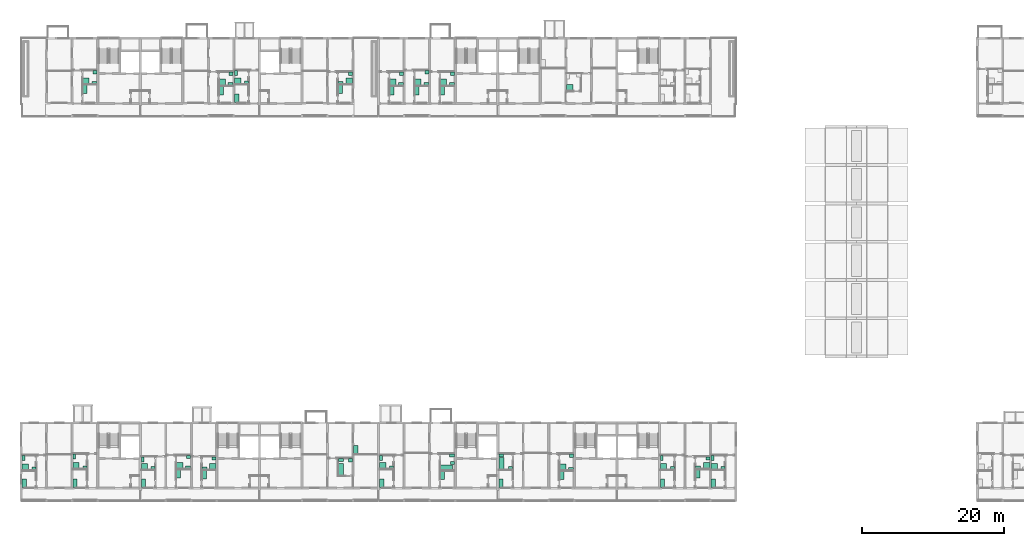
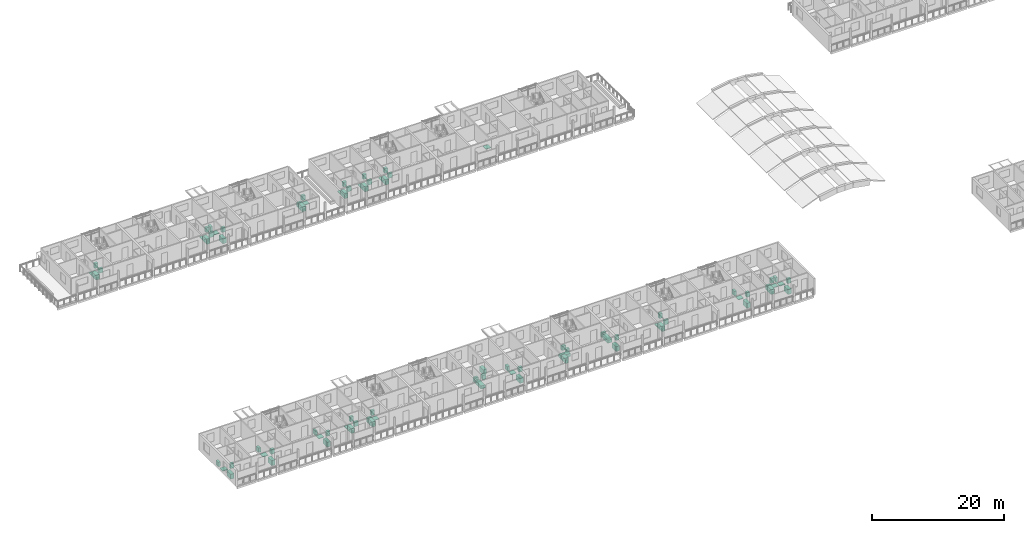
# One storey, part 91 of 93: 81 sanitary terminals.
"""IFC4 building model written with IfcOpenShell, lengths in metres."""

from ifc_helpers import new_model, si_unit, direction, frame, origin, origin_2d, place, context, subcontext, project, spatial, rectangle, extrude, element, save


model = new_model("IFC4")

# Units and contexts
model_context = context("Model", 3, precision=1e-05, world=origin(), true_north=direction((0.0, 1.0)))
body_context = subcontext(model_context, "Body", "Model", "MODEL_VIEW")
ifc_project = project(units=[si_unit("LENGTHUNIT", "METRE"), si_unit("AREAUNIT", "SQUARE_METRE"), si_unit("VOLUMEUNIT", "CUBIC_METRE"), si_unit("PLANEANGLEUNIT", "RADIAN"), si_unit("MASSUNIT", "GRAM", prefix="KILO")], contexts=[model_context])

# Site, building, storey
site_placement = place(None, origin())
site = spatial("IfcSite", under=ifc_project, at=site_placement, CompositionType="ELEMENT")
building_placement = place(site_placement, origin())
building = spatial("IfcBuilding", under=site, at=building_placement, Name="Ridgestep Commons", CompositionType="ELEMENT")
storey_placement = place(building_placement, frame((0.0, 0.0, 18.0)))
storey = spatial("IfcBuildingStorey", under=building, at=storey_placement, Name="L06", CompositionType="ELEMENT", Elevation=18.0)

# Sanitary terminals
sanitary_terminal_1_placement = place(storey_placement, frame((12.60009765625, 16.610107421875, 0.0), z_axis=(0.0, 0.0, 1.0), x_axis=(1.0, 0.0, 0.0)))
element("IfcSanitaryTerminal", 1, at=sanitary_terminal_1_placement, inside=storey, Name="Shower tray A1-06a", PredefinedType="SHOWER", context=body_context, shape_type="SweptSolid", body=[
    extrude(rectangle(XDim=0.89990234375, YDim=0.89990234375, at=origin_2d()), origin(), (0.0, 0.0, 1.0), 0.10009765625),
])
sanitary_terminal_2_placement = place(storey_placement, frame((12.35009765625, 17.89990234375, 0.0), z_axis=(0.0, 0.0, 1.0), x_axis=(1.0, 0.0, 0.0)))
element("IfcSanitaryTerminal", 2, at=sanitary_terminal_2_placement, inside=storey, Name="WC A1-06a", PredefinedType="TOILETPAN", context=body_context, shape_type="SweptSolid", body=[
    extrude(rectangle(XDim=0.39990234375, YDim=0.699951171875, at=origin_2d()), origin(), (0.0, 0.0, 1.0), 0.800048828125),
])
sanitary_terminal_3_placement = place(storey_placement, frame((13.81494140625, 16.385009765625, 0.0), z_axis=(0.0, 0.0, 1.0), x_axis=(1.0, 0.0, 0.0)))
element("IfcSanitaryTerminal", 3, at=sanitary_terminal_3_placement, inside=storey, Name="Basin A1-06a", PredefinedType="WASHHANDBASIN", context=body_context, shape_type="SweptSolid", body=[
    extrude(rectangle(XDim=0.550048828125, YDim=0.449951171875, at=origin_2d()), origin(), (0.0, 0.0, 1.0), 0.85009765625),
])
sanitary_terminal_4_placement = place(storey_placement, frame((12.449951171875, 14.35009765625, 0.0), z_axis=(0.0, 0.0, 1.0), x_axis=(1.0, 0.0, 0.0)))
element("IfcSanitaryTerminal", 4, at=sanitary_terminal_4_placement, inside=storey, Name="Kitchen sink A1-06a", PredefinedType="SINK", context=body_context, shape_type="SweptSolid", body=[
    extrude(rectangle(XDim=0.60009765625, YDim=1.199951171875, at=origin_2d()), origin(), (0.0, 0.0, 1.0), 0.89990234375),
])
sanitary_terminal_5_placement = place(storey_placement, frame((19.75, 16.81005859375, 0.0), z_axis=(0.0, 0.0, 1.0), x_axis=(1.0, 0.0, 0.0)))
element("IfcSanitaryTerminal", 5, at=sanitary_terminal_5_placement, inside=storey, Name="Shower tray A1-06b", PredefinedType="SHOWER", context=body_context, shape_type="SweptSolid", body=[
    extrude(rectangle(XDim=0.89990234375, YDim=0.89990234375, at=origin_2d()), origin(), (0.0, 0.0, 1.0), 0.10009765625),
])
sanitary_terminal_6_placement = place(storey_placement, frame((19.5, 18.10009765625, 0.0), z_axis=(0.0, 0.0, 1.0), x_axis=(1.0, 0.0, 0.0)))
element("IfcSanitaryTerminal", 6, at=sanitary_terminal_6_placement, inside=storey, Name="WC A1-06b", PredefinedType="TOILETPAN", context=body_context, shape_type="SweptSolid", body=[
    extrude(rectangle(XDim=0.39990234375, YDim=0.699951171875, at=origin_2d()), origin(), (0.0, 0.0, 1.0), 0.800048828125),
])
sanitary_terminal_7_placement = place(storey_placement, frame((20.989990234375, 16.5849609375, 0.0), z_axis=(0.0, 0.0, 1.0), x_axis=(1.0, 0.0, 0.0)))
element("IfcSanitaryTerminal", 7, at=sanitary_terminal_7_placement, inside=storey, Name="Basin A1-06b", PredefinedType="WASHHANDBASIN", context=body_context, shape_type="SweptSolid", body=[
    extrude(rectangle(XDim=0.550048828125, YDim=0.449951171875, at=origin_2d()), origin(), (0.0, 0.0, 1.0), 0.85009765625),
])
sanitary_terminal_8_placement = place(storey_placement, frame((19.60009765625, 14.35009765625, 0.0), z_axis=(0.0, 0.0, 1.0), x_axis=(1.0, 0.0, 0.0)))
element("IfcSanitaryTerminal", 8, at=sanitary_terminal_8_placement, inside=storey, Name="Kitchen sink A1-06b", PredefinedType="SINK", context=body_context, shape_type="SweptSolid", body=[
    extrude(rectangle(XDim=0.60009765625, YDim=1.199951171875, at=origin_2d()), origin(), (0.0, 0.0, 1.0), 0.89990234375),
])
sanitary_terminal_9_placement = place(storey_placement, frame((29.39990234375, 16.7099609375, 0.0), z_axis=(0.0, 0.0, 1.0), x_axis=(1.0, 0.0, 0.0)))
element("IfcSanitaryTerminal", 9, at=sanitary_terminal_9_placement, inside=storey, Name="Shower tray A2-06a", PredefinedType="SHOWER", context=body_context, shape_type="SweptSolid", body=[
    extrude(rectangle(XDim=0.89990234375, YDim=0.89990234375, at=origin_2d()), origin(), (0.0, 0.0, 1.0), 0.10009765625),
])
sanitary_terminal_10_placement = place(storey_placement, frame((29.14990234375, 17.699951171875, 0.0), z_axis=(0.0, 0.0, 1.0), x_axis=(1.0, 0.0, 0.0)))
element("IfcSanitaryTerminal", 10, at=sanitary_terminal_10_placement, inside=storey, Name="WC A2-06a", PredefinedType="TOILETPAN", context=body_context, shape_type="SweptSolid", body=[
    extrude(rectangle(XDim=0.39990234375, YDim=0.699951171875, at=origin_2d()), origin(), (0.0, 0.0, 1.0), 0.800048828125),
])
sanitary_terminal_11_placement = place(storey_placement, frame((30.614990234375, 16.485107421875, 0.0), z_axis=(0.0, 0.0, 1.0), x_axis=(1.0, 0.0, 0.0)))
element("IfcSanitaryTerminal", 11, at=sanitary_terminal_11_placement, inside=storey, Name="Basin A2-06a", PredefinedType="WASHHANDBASIN", context=body_context, shape_type="SweptSolid", body=[
    extrude(rectangle(XDim=0.550048828125, YDim=0.449951171875, at=origin_2d()), origin(), (0.0, 0.0, 1.0), 0.85009765625),
])
sanitary_terminal_12_placement = place(storey_placement, frame((29.25, 14.35009765625, 0.0), z_axis=(0.0, 0.0, 1.0), x_axis=(1.0, 0.0, 0.0)))
element("IfcSanitaryTerminal", 12, at=sanitary_terminal_12_placement, inside=storey, Name="Kitchen sink A2-06a", PredefinedType="SINK", context=body_context, shape_type="SweptSolid", body=[
    extrude(rectangle(XDim=0.60009765625, YDim=1.199951171875, at=origin_2d()), origin(), (0.0, 0.0, 1.0), 0.89990234375),
])
sanitary_terminal_13_placement = place(storey_placement, frame((34.360107421875, 16.81005859375, 0.0), z_axis=(0.0, 0.0, 1.0), x_axis=(1.0, 0.0, 0.0)))
element("IfcSanitaryTerminal", 13, at=sanitary_terminal_13_placement, inside=storey, Name="Shower tray A2-06b", PredefinedType="SHOWER", context=body_context, shape_type="SweptSolid", body=[
    extrude(rectangle(XDim=0.89990234375, YDim=0.89990234375, at=origin_2d()), origin(), (0.0, 0.0, 1.0), 0.10009765625),
])
sanitary_terminal_14_placement = place(storey_placement, frame((35.550048828125, 16.56005859375, 0.0), z_axis=(0.0, 0.0, 1.0), x_axis=(1.0, 0.0, 0.0)))
element("IfcSanitaryTerminal", 14, at=sanitary_terminal_14_placement, inside=storey, Name="WC A2-06b", PredefinedType="TOILETPAN", context=body_context, shape_type="SweptSolid", body=[
    extrude(rectangle(XDim=0.699951171875, YDim=0.39990234375, at=origin_2d()), origin(), (0.0, 0.0, 1.0), 0.800048828125),
])
sanitary_terminal_15_placement = place(storey_placement, frame((35.625, 18.02490234375, 0.0), z_axis=(0.0, 0.0, 1.0), x_axis=(1.0, 0.0, 0.0)))
element("IfcSanitaryTerminal", 15, at=sanitary_terminal_15_placement, inside=storey, Name="Basin A2-06b", PredefinedType="WASHHANDBASIN", context=body_context, shape_type="SweptSolid", body=[
    extrude(rectangle(XDim=0.550048828125, YDim=0.449951171875, at=origin_2d()), origin(), (0.0, 0.0, 1.0), 0.85009765625),
])
sanitary_terminal_16_placement = place(storey_placement, frame((34.2099609375, 15.64990234375, 0.0), z_axis=(0.0, 0.0, 1.0), x_axis=(1.0, 0.0, 0.0)))
element("IfcSanitaryTerminal", 16, at=sanitary_terminal_16_placement, inside=storey, Name="Kitchen sink A2-06b", PredefinedType="SINK", context=body_context, shape_type="SweptSolid", body=[
    extrude(rectangle(XDim=0.60009765625, YDim=1.199951171875, at=origin_2d()), origin(), (0.0, 0.0, 1.0), 0.89990234375),
])
sanitary_terminal_17_placement = place(storey_placement, frame((39.02490234375, 16.7099609375, 0.0), z_axis=(0.0, 0.0, 1.0), x_axis=(1.0, 0.0, 0.0)))
element("IfcSanitaryTerminal", 17, at=sanitary_terminal_17_placement, inside=storey, Name="Shower tray A2-06c", PredefinedType="SHOWER", context=body_context, shape_type="SweptSolid", body=[
    extrude(rectangle(XDim=0.89990234375, YDim=0.89990234375, at=origin_2d()), origin(), (0.0, 0.0, 1.0), 0.10009765625),
])
sanitary_terminal_18_placement = place(storey_placement, frame((37.860107421875, 16.4599609375, 0.0), z_axis=(0.0, 0.0, 1.0), x_axis=(1.0, 0.0, 0.0)))
element("IfcSanitaryTerminal", 18, at=sanitary_terminal_18_placement, inside=storey, Name="WC A2-06c", PredefinedType="TOILETPAN", context=body_context, shape_type="SweptSolid", body=[
    extrude(rectangle(XDim=0.699951171875, YDim=0.39990234375, at=origin_2d()), origin(), (0.0, 0.0, 1.0), 0.800048828125),
])
sanitary_terminal_19_placement = place(storey_placement, frame((39.199951171875, 17.824951171875, 0.0), z_axis=(0.0, 0.0, 1.0), x_axis=(1.0, 0.0, 0.0)))
element("IfcSanitaryTerminal", 19, at=sanitary_terminal_19_placement, inside=storey, Name="Basin A2-06c", PredefinedType="WASHHANDBASIN", context=body_context, shape_type="SweptSolid", body=[
    extrude(rectangle(XDim=0.550048828125, YDim=0.449951171875, at=origin_2d()), origin(), (0.0, 0.0, 1.0), 0.85009765625),
])
sanitary_terminal_20_placement = place(storey_placement, frame((37.81005859375, 15.550048828125, 0.0), z_axis=(0.0, 0.0, 1.0), x_axis=(1.0, 0.0, 0.0)))
element("IfcSanitaryTerminal", 20, at=sanitary_terminal_20_placement, inside=storey, Name="Kitchen sink A2-06c", PredefinedType="SINK", context=body_context, shape_type="SweptSolid", body=[
    extrude(rectangle(XDim=0.60009765625, YDim=1.199951171875, at=origin_2d()), origin(), (0.0, 0.0, 1.0), 0.89990234375),
])
sanitary_terminal_21_placement = place(storey_placement, frame((57.110107421875, 16.260009765625, 0.0), z_axis=(0.0, 0.0, 1.0), x_axis=(1.0, 0.0, 0.0)))
element("IfcSanitaryTerminal", 21, at=sanitary_terminal_21_placement, inside=storey, Name="Bath A3-06a", PredefinedType="BATH", context=body_context, shape_type="SweptSolid", body=[
    extrude(rectangle(XDim=0.75, YDim=1.699951171875, at=origin_2d()), origin(), (0.0, 0.0, 1.0), 0.550048828125),
])
sanitary_terminal_22_placement = place(storey_placement, frame((57.0849609375, 17.610107421875, 0.0), z_axis=(0.0, 0.0, 1.0), x_axis=(1.0, 0.0, 0.0)))
element("IfcSanitaryTerminal", 22, at=sanitary_terminal_22_placement, inside=storey, Name="WC A3-06a", PredefinedType="TOILETPAN", context=body_context, shape_type="SweptSolid", body=[
    extrude(rectangle(XDim=0.699951171875, YDim=0.39990234375, at=origin_2d()), origin(), (0.0, 0.0, 1.0), 0.800048828125),
])
sanitary_terminal_23_placement = place(storey_placement, frame((58.425048828125, 17.5849609375, 0.0), z_axis=(0.0, 0.0, 1.0), x_axis=(1.0, 0.0, 0.0)))
element("IfcSanitaryTerminal", 23, at=sanitary_terminal_23_placement, inside=storey, Name="Basin A3-06a", PredefinedType="WASHHANDBASIN", context=body_context, shape_type="SweptSolid", body=[
    extrude(rectangle(XDim=0.550048828125, YDim=0.449951171875, at=origin_2d()), origin(), (0.0, 0.0, 1.0), 0.85009765625),
])
sanitary_terminal_24_placement = place(storey_placement, frame((59.199951171875, 19.06005859375, 0.0), z_axis=(0.0, 0.0, 1.0), x_axis=(1.0, 0.0, 0.0)))
element("IfcSanitaryTerminal", 24, at=sanitary_terminal_24_placement, inside=storey, Name="Kitchen sink A3-06a", PredefinedType="SINK", context=body_context, shape_type="SweptSolid", body=[
    extrude(rectangle(XDim=0.60009765625, YDim=1.199951171875, at=origin_2d()), origin(), (0.0, 0.0, 1.0), 0.89990234375),
])
sanitary_terminal_25_placement = place(storey_placement, frame((63.0, 16.81005859375, 0.0), z_axis=(0.0, 0.0, 1.0), x_axis=(1.0, 0.0, 0.0)))
element("IfcSanitaryTerminal", 25, at=sanitary_terminal_25_placement, inside=storey, Name="Shower tray A4-06a", PredefinedType="SHOWER", context=body_context, shape_type="SweptSolid", body=[
    extrude(rectangle(XDim=0.89990234375, YDim=0.89990234375, at=origin_2d()), origin(), (0.0, 0.0, 1.0), 0.10009765625),
])
sanitary_terminal_26_placement = place(storey_placement, frame((62.75, 17.89990234375, 0.0), z_axis=(0.0, 0.0, 1.0), x_axis=(1.0, 0.0, 0.0)))
element("IfcSanitaryTerminal", 26, at=sanitary_terminal_26_placement, inside=storey, Name="WC A4-06a", PredefinedType="TOILETPAN", context=body_context, shape_type="SweptSolid", body=[
    extrude(rectangle(XDim=0.39990234375, YDim=0.699951171875, at=origin_2d()), origin(), (0.0, 0.0, 1.0), 0.800048828125),
])
sanitary_terminal_27_placement = place(storey_placement, frame((64.215087890625, 16.5849609375, 0.0), z_axis=(0.0, 0.0, 1.0), x_axis=(1.0, 0.0, 0.0)))
element("IfcSanitaryTerminal", 27, at=sanitary_terminal_27_placement, inside=storey, Name="Basin A4-06a", PredefinedType="WASHHANDBASIN", context=body_context, shape_type="SweptSolid", body=[
    extrude(rectangle(XDim=0.550048828125, YDim=0.449951171875, at=origin_2d()), origin(), (0.0, 0.0, 1.0), 0.85009765625),
])
sanitary_terminal_28_placement = place(storey_placement, frame((62.85009765625, 14.35009765625, 0.0), z_axis=(0.0, 0.0, 1.0), x_axis=(1.0, 0.0, 0.0)))
element("IfcSanitaryTerminal", 28, at=sanitary_terminal_28_placement, inside=storey, Name="Kitchen sink A4-06a", PredefinedType="SINK", context=body_context, shape_type="SweptSolid", body=[
    extrude(rectangle(XDim=0.60009765625, YDim=1.199951171875, at=origin_2d()), origin(), (0.0, 0.0, 1.0), 0.89990234375),
])
sanitary_terminal_29_placement = place(storey_placement, frame((71.9599609375, 16.534912109375, 0.0), z_axis=(0.0, 0.0, 1.0), x_axis=(1.0, 0.0, 0.0)))
element("IfcSanitaryTerminal", 29, at=sanitary_terminal_29_placement, inside=storey, Name="Bath A4-06b", PredefinedType="BATH", context=body_context, shape_type="SweptSolid", body=[
    extrude(rectangle(XDim=1.699951171875, YDim=0.75, at=origin_2d()), origin(), (0.0, 0.0, 1.0), 0.550048828125),
])
sanitary_terminal_30_placement = place(storey_placement, frame((72.72509765625, 18.25, 0.0), z_axis=(0.0, 0.0, 1.0), x_axis=(1.0, 0.0, 0.0)))
element("IfcSanitaryTerminal", 30, at=sanitary_terminal_30_placement, inside=storey, Name="WC A4-06b", PredefinedType="TOILETPAN", context=body_context, shape_type="SweptSolid", body=[
    extrude(rectangle(XDim=0.699951171875, YDim=0.39990234375, at=origin_2d()), origin(), (0.0, 0.0, 1.0), 0.800048828125),
])
sanitary_terminal_31_placement = place(storey_placement, frame((72.800048828125, 17.18505859375, 0.0), z_axis=(0.0, 0.0, 1.0), x_axis=(1.0, 0.0, 0.0)))
element("IfcSanitaryTerminal", 31, at=sanitary_terminal_31_placement, inside=storey, Name="Basin A4-06b", PredefinedType="WASHHANDBASIN", context=body_context, shape_type="SweptSolid", body=[
    extrude(rectangle(XDim=0.550048828125, YDim=0.449951171875, at=origin_2d()), origin(), (0.0, 0.0, 1.0), 0.85009765625),
])
sanitary_terminal_32_placement = place(storey_placement, frame((71.409912109375, 15.449951171875, 0.0), z_axis=(0.0, 0.0, 1.0), x_axis=(1.0, 0.0, 0.0)))
element("IfcSanitaryTerminal", 32, at=sanitary_terminal_32_placement, inside=storey, Name="Kitchen sink A4-06b", PredefinedType="SINK", context=body_context, shape_type="SweptSolid", body=[
    extrude(rectangle(XDim=0.60009765625, YDim=1.199951171875, at=origin_2d()), origin(), (0.0, 0.0, 1.0), 0.89990234375),
])
sanitary_terminal_33_placement = place(storey_placement, frame((79.72509765625, 17.110107421875, 0.0), z_axis=(0.0, 0.0, 1.0), x_axis=(1.0, 0.0, 0.0)))
element("IfcSanitaryTerminal", 33, at=sanitary_terminal_33_placement, inside=storey, Name="Bath A5-06a", PredefinedType="BATH", context=body_context, shape_type="SweptSolid", body=[
    extrude(rectangle(XDim=0.75, YDim=1.699951171875, at=origin_2d()), origin(), (0.0, 0.0, 1.0), 0.550048828125),
])
sanitary_terminal_34_placement = place(storey_placement, frame((79.699951171875, 18.25, 0.0), z_axis=(0.0, 0.0, 1.0), x_axis=(1.0, 0.0, 0.0)))
element("IfcSanitaryTerminal", 34, at=sanitary_terminal_34_placement, inside=storey, Name="WC A5-06a", PredefinedType="TOILETPAN", context=body_context, shape_type="SweptSolid", body=[
    extrude(rectangle(XDim=0.699951171875, YDim=0.39990234375, at=origin_2d()), origin(), (0.0, 0.0, 1.0), 0.800048828125),
])
sanitary_terminal_35_placement = place(storey_placement, frame((81.014892578125, 16.485107421875, 0.0), z_axis=(0.0, 0.0, 1.0), x_axis=(1.0, 0.0, 0.0)))
element("IfcSanitaryTerminal", 35, at=sanitary_terminal_35_placement, inside=storey, Name="Basin A5-06a", PredefinedType="WASHHANDBASIN", context=body_context, shape_type="SweptSolid", body=[
    extrude(rectangle(XDim=0.550048828125, YDim=0.449951171875, at=origin_2d()), origin(), (0.0, 0.0, 1.0), 0.85009765625),
])
sanitary_terminal_36_placement = place(storey_placement, frame((79.64990234375, 14.35009765625, 0.0), z_axis=(0.0, 0.0, 1.0), x_axis=(1.0, 0.0, 0.0)))
element("IfcSanitaryTerminal", 36, at=sanitary_terminal_36_placement, inside=storey, Name="Kitchen sink A5-06a", PredefinedType="SINK", context=body_context, shape_type="SweptSolid", body=[
    extrude(rectangle(XDim=0.60009765625, YDim=1.199951171875, at=origin_2d()), origin(), (0.0, 0.0, 1.0), 0.89990234375),
])
sanitary_terminal_37_placement = place(storey_placement, frame((88.385009765625, 16.610107421875, 0.0), z_axis=(0.0, 0.0, 1.0), x_axis=(1.0, 0.0, 0.0)))
element("IfcSanitaryTerminal", 37, at=sanitary_terminal_37_placement, inside=storey, Name="Shower tray A5-06b", PredefinedType="SHOWER", context=body_context, shape_type="SweptSolid", body=[
    extrude(rectangle(XDim=0.89990234375, YDim=0.89990234375, at=origin_2d()), origin(), (0.0, 0.0, 1.0), 0.10009765625),
])
sanitary_terminal_38_placement = place(storey_placement, frame((89.52490234375, 16.360107421875, 0.0), z_axis=(0.0, 0.0, 1.0), x_axis=(1.0, 0.0, 0.0)))
element("IfcSanitaryTerminal", 38, at=sanitary_terminal_38_placement, inside=storey, Name="WC A5-06b", PredefinedType="TOILETPAN", context=body_context, shape_type="SweptSolid", body=[
    extrude(rectangle(XDim=0.699951171875, YDim=0.39990234375, at=origin_2d()), origin(), (0.0, 0.0, 1.0), 0.800048828125),
])
sanitary_terminal_39_placement = place(storey_placement, frame((89.60009765625, 18.22509765625, 0.0), z_axis=(0.0, 0.0, 1.0), x_axis=(1.0, 0.0, 0.0)))
element("IfcSanitaryTerminal", 39, at=sanitary_terminal_39_placement, inside=storey, Name="Basin A5-06b", PredefinedType="WASHHANDBASIN", context=body_context, shape_type="SweptSolid", body=[
    extrude(rectangle(XDim=0.550048828125, YDim=0.449951171875, at=origin_2d()), origin(), (0.0, 0.0, 1.0), 0.85009765625),
])
sanitary_terminal_40_placement = place(storey_placement, frame((88.235107421875, 15.449951171875, 0.0), z_axis=(0.0, 0.0, 1.0), x_axis=(1.0, 0.0, 0.0)))
element("IfcSanitaryTerminal", 40, at=sanitary_terminal_40_placement, inside=storey, Name="Kitchen sink A5-06b", PredefinedType="SINK", context=body_context, shape_type="SweptSolid", body=[
    extrude(rectangle(XDim=0.60009765625, YDim=1.199951171875, at=origin_2d()), origin(), (0.0, 0.0, 1.0), 0.89990234375),
])
sanitary_terminal_41_placement = place(storey_placement, frame((109.75, 16.7099609375, 0.0), z_axis=(0.0, 0.0, 1.0), x_axis=(1.0, 0.0, 0.0)))
element("IfcSanitaryTerminal", 41, at=sanitary_terminal_41_placement, inside=storey, Name="Shower tray A6-06a", PredefinedType="SHOWER", context=body_context, shape_type="SweptSolid", body=[
    extrude(rectangle(XDim=0.89990234375, YDim=0.89990234375, at=origin_2d()), origin(), (0.0, 0.0, 1.0), 0.10009765625),
])
sanitary_terminal_42_placement = place(storey_placement, frame((109.5, 17.89990234375, 0.0), z_axis=(0.0, 0.0, 1.0), x_axis=(1.0, 0.0, 0.0)))
element("IfcSanitaryTerminal", 42, at=sanitary_terminal_42_placement, inside=storey, Name="WC A6-06a", PredefinedType="TOILETPAN", context=body_context, shape_type="SweptSolid", body=[
    extrude(rectangle(XDim=0.39990234375, YDim=0.699951171875, at=origin_2d()), origin(), (0.0, 0.0, 1.0), 0.800048828125),
])
sanitary_terminal_43_placement = place(storey_placement, frame((110.965087890625, 16.485107421875, 0.0), z_axis=(0.0, 0.0, 1.0), x_axis=(1.0, 0.0, 0.0)))
element("IfcSanitaryTerminal", 43, at=sanitary_terminal_43_placement, inside=storey, Name="Basin A6-06a", PredefinedType="WASHHANDBASIN", context=body_context, shape_type="SweptSolid", body=[
    extrude(rectangle(XDim=0.550048828125, YDim=0.449951171875, at=origin_2d()), origin(), (0.0, 0.0, 1.0), 0.85009765625),
])
sanitary_terminal_44_placement = place(storey_placement, frame((109.60009765625, 14.35009765625, 0.0), z_axis=(0.0, 0.0, 1.0), x_axis=(1.0, 0.0, 0.0)))
element("IfcSanitaryTerminal", 44, at=sanitary_terminal_44_placement, inside=storey, Name="Kitchen sink A6-06a", PredefinedType="SINK", context=body_context, shape_type="SweptSolid", body=[
    extrude(rectangle(XDim=0.60009765625, YDim=1.199951171875, at=origin_2d()), origin(), (0.0, 0.0, 1.0), 0.89990234375),
])
sanitary_terminal_45_placement = place(storey_placement, frame((108.64990234375, 16.81005859375, 0.0), z_axis=(0.0, 0.0, 1.0), x_axis=(1.0, 0.0, 0.0)))
element("IfcSanitaryTerminal", 45, at=sanitary_terminal_45_placement, inside=storey, Name="Shower tray A6-06b", PredefinedType="SHOWER", context=body_context, shape_type="SweptSolid", body=[
    extrude(rectangle(XDim=0.89990234375, YDim=0.89990234375, at=origin_2d()), origin(), (0.0, 0.0, 1.0), 0.10009765625),
])
sanitary_terminal_46_placement = place(storey_placement, frame((107.4599609375, 16.56005859375, 0.0), z_axis=(0.0, 0.0, 1.0), x_axis=(1.0, 0.0, 0.0)))
element("IfcSanitaryTerminal", 46, at=sanitary_terminal_46_placement, inside=storey, Name="WC A6-06b", PredefinedType="TOILETPAN", context=body_context, shape_type="SweptSolid", body=[
    extrude(rectangle(XDim=0.699951171875, YDim=0.39990234375, at=origin_2d()), origin(), (0.0, 0.0, 1.0), 0.800048828125),
])
sanitary_terminal_47_placement = place(storey_placement, frame((108.824951171875, 17.824951171875, 0.0), z_axis=(0.0, 0.0, 1.0), x_axis=(1.0, 0.0, 0.0)))
element("IfcSanitaryTerminal", 47, at=sanitary_terminal_47_placement, inside=storey, Name="Basin A6-06b", PredefinedType="WASHHANDBASIN", context=body_context, shape_type="SweptSolid", body=[
    extrude(rectangle(XDim=0.550048828125, YDim=0.449951171875, at=origin_2d()), origin(), (0.0, 0.0, 1.0), 0.85009765625),
])
sanitary_terminal_48_placement = place(storey_placement, frame((107.409912109375, 15.64990234375, 0.0), z_axis=(0.0, 0.0, 1.0), x_axis=(1.0, 0.0, 0.0)))
element("IfcSanitaryTerminal", 48, at=sanitary_terminal_48_placement, inside=storey, Name="Kitchen sink A6-06b", PredefinedType="SINK", context=body_context, shape_type="SweptSolid", body=[
    extrude(rectangle(XDim=0.60009765625, YDim=1.199951171875, at=origin_2d()), origin(), (0.0, 0.0, 1.0), 0.89990234375),
])
sanitary_terminal_49_placement = place(storey_placement, frame((102.574951171875, 16.7099609375, 0.0), z_axis=(0.0, 0.0, 1.0), x_axis=(1.0, 0.0, 0.0)))
element("IfcSanitaryTerminal", 49, at=sanitary_terminal_49_placement, inside=storey, Name="Shower tray A6-06c", PredefinedType="SHOWER", context=body_context, shape_type="SweptSolid", body=[
    extrude(rectangle(XDim=0.89990234375, YDim=0.89990234375, at=origin_2d()), origin(), (0.0, 0.0, 1.0), 0.10009765625),
])
sanitary_terminal_50_placement = place(storey_placement, frame((102.324951171875, 17.89990234375, 0.0), z_axis=(0.0, 0.0, 1.0), x_axis=(1.0, 0.0, 0.0)))
element("IfcSanitaryTerminal", 50, at=sanitary_terminal_50_placement, inside=storey, Name="WC A6-06c", PredefinedType="TOILETPAN", context=body_context, shape_type="SweptSolid", body=[
    extrude(rectangle(XDim=0.39990234375, YDim=0.699951171875, at=origin_2d()), origin(), (0.0, 0.0, 1.0), 0.800048828125),
])
sanitary_terminal_51_placement = place(storey_placement, frame((103.81494140625, 16.485107421875, 0.0), z_axis=(0.0, 0.0, 1.0), x_axis=(1.0, 0.0, 0.0)))
element("IfcSanitaryTerminal", 51, at=sanitary_terminal_51_placement, inside=storey, Name="Basin A6-06c", PredefinedType="WASHHANDBASIN", context=body_context, shape_type="SweptSolid", body=[
    extrude(rectangle(XDim=0.550048828125, YDim=0.449951171875, at=origin_2d()), origin(), (0.0, 0.0, 1.0), 0.85009765625),
])
sanitary_terminal_52_placement = place(storey_placement, frame((102.425048828125, 14.35009765625, 0.0), z_axis=(0.0, 0.0, 1.0), x_axis=(1.0, 0.0, 0.0)))
element("IfcSanitaryTerminal", 52, at=sanitary_terminal_52_placement, inside=storey, Name="Kitchen sink A6-06c", PredefinedType="SINK", context=body_context, shape_type="SweptSolid", body=[
    extrude(rectangle(XDim=0.60009765625, YDim=1.199951171875, at=origin_2d()), origin(), (0.0, 0.0, 1.0), 0.89990234375),
])
sanitary_terminal_53_placement = place(storey_placement, frame((21.159912109375, 71.06005859375, 0.0), z_axis=(0.0, 0.0, 1.0), x_axis=(1.0, 0.0, 0.0)))
element("IfcSanitaryTerminal", 53, at=sanitary_terminal_53_placement, inside=storey, Name="Shower tray B1-06a", PredefinedType="SHOWER", context=body_context, shape_type="SweptSolid", body=[
    extrude(rectangle(XDim=0.89990234375, YDim=0.89990234375, at=origin_2d()), origin(), (0.0, 0.0, 1.0), 0.10009765625),
])
sanitary_terminal_54_placement = place(storey_placement, frame((22.324951171875, 70.81005859375, 0.0), z_axis=(0.0, 0.0, 1.0), x_axis=(1.0, 0.0, 0.0)))
element("IfcSanitaryTerminal", 54, at=sanitary_terminal_54_placement, inside=storey, Name="WC B1-06a", PredefinedType="TOILETPAN", context=body_context, shape_type="SweptSolid", body=[
    extrude(rectangle(XDim=0.699951171875, YDim=0.39990234375, at=origin_2d()), origin(), (0.0, 0.0, 1.0), 0.800048828125),
])
sanitary_terminal_55_placement = place(storey_placement, frame((22.39990234375, 72.27490234375, 0.0), z_axis=(0.0, 0.0, 1.0), x_axis=(1.0, 0.0, 0.0)))
element("IfcSanitaryTerminal", 55, at=sanitary_terminal_55_placement, inside=storey, Name="Basin B1-06a", PredefinedType="WASHHANDBASIN", context=body_context, shape_type="SweptSolid", body=[
    extrude(rectangle(XDim=0.550048828125, YDim=0.449951171875, at=origin_2d()), origin(), (0.0, 0.0, 1.0), 0.85009765625),
])
sanitary_terminal_56_placement = place(storey_placement, frame((21.010009765625, 69.89990234375, 0.0), z_axis=(0.0, 0.0, 1.0), x_axis=(1.0, 0.0, 0.0)))
element("IfcSanitaryTerminal", 56, at=sanitary_terminal_56_placement, inside=storey, Name="Kitchen sink B1-06a", PredefinedType="SINK", context=body_context, shape_type="SweptSolid", body=[
    extrude(rectangle(XDim=0.60009765625, YDim=1.199951171875, at=origin_2d()), origin(), (0.0, 0.0, 1.0), 0.89990234375),
])
sanitary_terminal_57_placement = place(storey_placement, frame((42.550048828125, 71.06005859375, 0.0), z_axis=(0.0, 0.0, 1.0), x_axis=(1.0, 0.0, 0.0)))
element("IfcSanitaryTerminal", 57, at=sanitary_terminal_57_placement, inside=storey, Name="Shower tray B2-06a", PredefinedType="SHOWER", context=body_context, shape_type="SweptSolid", body=[
    extrude(rectangle(XDim=0.89990234375, YDim=0.89990234375, at=origin_2d()), origin(), (0.0, 0.0, 1.0), 0.10009765625),
])
sanitary_terminal_58_placement = place(storey_placement, frame((42.300048828125, 72.14990234375, 0.0), z_axis=(0.0, 0.0, 1.0), x_axis=(1.0, 0.0, 0.0)))
element("IfcSanitaryTerminal", 58, at=sanitary_terminal_58_placement, inside=storey, Name="WC B2-06a", PredefinedType="TOILETPAN", context=body_context, shape_type="SweptSolid", body=[
    extrude(rectangle(XDim=0.39990234375, YDim=0.699951171875, at=origin_2d()), origin(), (0.0, 0.0, 1.0), 0.800048828125),
])
sanitary_terminal_59_placement = place(storey_placement, frame((43.764892578125, 70.8349609375, 0.0), z_axis=(0.0, 0.0, 1.0), x_axis=(1.0, 0.0, 0.0)))
element("IfcSanitaryTerminal", 59, at=sanitary_terminal_59_placement, inside=storey, Name="Basin B2-06a", PredefinedType="WASHHANDBASIN", context=body_context, shape_type="SweptSolid", body=[
    extrude(rectangle(XDim=0.550048828125, YDim=0.449951171875, at=origin_2d()), origin(), (0.0, 0.0, 1.0), 0.85009765625),
])
sanitary_terminal_60_placement = place(storey_placement, frame((42.39990234375, 68.60009765625, 0.0), z_axis=(0.0, 0.0, 1.0), x_axis=(1.0, 0.0, 0.0)))
element("IfcSanitaryTerminal", 60, at=sanitary_terminal_60_placement, inside=storey, Name="Kitchen sink B2-06a", PredefinedType="SINK", context=body_context, shape_type="SweptSolid", body=[
    extrude(rectangle(XDim=0.60009765625, YDim=1.199951171875, at=origin_2d()), origin(), (0.0, 0.0, 1.0), 0.89990234375),
])
sanitary_terminal_61_placement = place(storey_placement, frame((40.360107421875, 70.860107421875, 0.0), z_axis=(0.0, 0.0, 1.0), x_axis=(1.0, 0.0, 0.0)))
element("IfcSanitaryTerminal", 61, at=sanitary_terminal_61_placement, inside=storey, Name="Shower tray B2-06b", PredefinedType="SHOWER", context=body_context, shape_type="SweptSolid", body=[
    extrude(rectangle(XDim=0.89990234375, YDim=0.89990234375, at=origin_2d()), origin(), (0.0, 0.0, 1.0), 0.10009765625),
])
sanitary_terminal_62_placement = place(storey_placement, frame((41.550048828125, 70.610107421875, 0.0), z_axis=(0.0, 0.0, 1.0), x_axis=(1.0, 0.0, 0.0)))
element("IfcSanitaryTerminal", 62, at=sanitary_terminal_62_placement, inside=storey, Name="WC B2-06b", PredefinedType="TOILETPAN", context=body_context, shape_type="SweptSolid", body=[
    extrude(rectangle(XDim=0.699951171875, YDim=0.39990234375, at=origin_2d()), origin(), (0.0, 0.0, 1.0), 0.800048828125),
])
sanitary_terminal_63_placement = place(storey_placement, frame((41.625, 72.074951171875, 0.0), z_axis=(0.0, 0.0, 1.0), x_axis=(1.0, 0.0, 0.0)))
element("IfcSanitaryTerminal", 63, at=sanitary_terminal_63_placement, inside=storey, Name="Basin B2-06b", PredefinedType="WASHHANDBASIN", context=body_context, shape_type="SweptSolid", body=[
    extrude(rectangle(XDim=0.550048828125, YDim=0.449951171875, at=origin_2d()), origin(), (0.0, 0.0, 1.0), 0.85009765625),
])
sanitary_terminal_64_placement = place(storey_placement, frame((40.2099609375, 69.699951171875, 0.0), z_axis=(0.0, 0.0, 1.0), x_axis=(1.0, 0.0, 0.0)))
element("IfcSanitaryTerminal", 64, at=sanitary_terminal_64_placement, inside=storey, Name="Kitchen sink B2-06b", PredefinedType="SINK", context=body_context, shape_type="SweptSolid", body=[
    extrude(rectangle(XDim=0.60009765625, YDim=1.199951171875, at=origin_2d()), origin(), (0.0, 0.0, 1.0), 0.89990234375),
])
sanitary_terminal_65_placement = place(storey_placement, frame((58.25, 71.06005859375, 0.0), z_axis=(0.0, 0.0, 1.0), x_axis=(1.0, 0.0, 0.0)))
element("IfcSanitaryTerminal", 65, at=sanitary_terminal_65_placement, inside=storey, Name="Shower tray B3-06a", PredefinedType="SHOWER", context=body_context, shape_type="SweptSolid", body=[
    extrude(rectangle(XDim=0.89990234375, YDim=0.89990234375, at=origin_2d()), origin(), (0.0, 0.0, 1.0), 0.10009765625),
])
sanitary_terminal_66_placement = place(storey_placement, frame((57.06005859375, 70.81005859375, 0.0), z_axis=(0.0, 0.0, 1.0), x_axis=(1.0, 0.0, 0.0)))
element("IfcSanitaryTerminal", 66, at=sanitary_terminal_66_placement, inside=storey, Name="WC B3-06a", PredefinedType="TOILETPAN", context=body_context, shape_type="SweptSolid", body=[
    extrude(rectangle(XDim=0.699951171875, YDim=0.39990234375, at=origin_2d()), origin(), (0.0, 0.0, 1.0), 0.800048828125),
])
sanitary_terminal_67_placement = place(storey_placement, frame((58.425048828125, 72.074951171875, 0.0), z_axis=(0.0, 0.0, 1.0), x_axis=(1.0, 0.0, 0.0)))
element("IfcSanitaryTerminal", 67, at=sanitary_terminal_67_placement, inside=storey, Name="Basin B3-06a", PredefinedType="WASHHANDBASIN", context=body_context, shape_type="SweptSolid", body=[
    extrude(rectangle(XDim=0.550048828125, YDim=0.449951171875, at=origin_2d()), origin(), (0.0, 0.0, 1.0), 0.85009765625),
])
sanitary_terminal_68_placement = place(storey_placement, frame((57.010009765625, 69.89990234375, 0.0), z_axis=(0.0, 0.0, 1.0), x_axis=(1.0, 0.0, 0.0)))
element("IfcSanitaryTerminal", 68, at=sanitary_terminal_68_placement, inside=storey, Name="Kitchen sink B3-06a", PredefinedType="SINK", context=body_context, shape_type="SweptSolid", body=[
    extrude(rectangle(XDim=0.60009765625, YDim=1.199951171875, at=origin_2d()), origin(), (0.0, 0.0, 1.0), 0.89990234375),
])
sanitary_terminal_69_placement = place(storey_placement, frame((64.409912109375, 70.860107421875, 0.0), z_axis=(0.0, 0.0, 1.0), x_axis=(1.0, 0.0, 0.0)))
element("IfcSanitaryTerminal", 69, at=sanitary_terminal_69_placement, inside=storey, Name="Shower tray B4-06a", PredefinedType="SHOWER", context=body_context, shape_type="SweptSolid", body=[
    extrude(rectangle(XDim=0.89990234375, YDim=0.89990234375, at=origin_2d()), origin(), (0.0, 0.0, 1.0), 0.10009765625),
])
sanitary_terminal_70_placement = place(storey_placement, frame((65.550048828125, 70.610107421875, 0.0), z_axis=(0.0, 0.0, 1.0), x_axis=(1.0, 0.0, 0.0)))
element("IfcSanitaryTerminal", 70, at=sanitary_terminal_70_placement, inside=storey, Name="WC B4-06a", PredefinedType="TOILETPAN", context=body_context, shape_type="SweptSolid", body=[
    extrude(rectangle(XDim=0.699951171875, YDim=0.39990234375, at=origin_2d()), origin(), (0.0, 0.0, 1.0), 0.800048828125),
])
sanitary_terminal_71_placement = place(storey_placement, frame((65.625, 72.074951171875, 0.0), z_axis=(0.0, 0.0, 1.0), x_axis=(1.0, 0.0, 0.0)))
element("IfcSanitaryTerminal", 71, at=sanitary_terminal_71_placement, inside=storey, Name="Basin B4-06a", PredefinedType="WASHHANDBASIN", context=body_context, shape_type="SweptSolid", body=[
    extrude(rectangle(XDim=0.550048828125, YDim=0.449951171875, at=origin_2d()), origin(), (0.0, 0.0, 1.0), 0.85009765625),
])
sanitary_terminal_72_placement = place(storey_placement, frame((64.260009765625, 69.699951171875, 0.0), z_axis=(0.0, 0.0, 1.0), x_axis=(1.0, 0.0, 0.0)))
element("IfcSanitaryTerminal", 72, at=sanitary_terminal_72_placement, inside=storey, Name="Kitchen sink B4-06a", PredefinedType="SINK", context=body_context, shape_type="SweptSolid", body=[
    extrude(rectangle(XDim=0.60009765625, YDim=1.199951171875, at=origin_2d()), origin(), (0.0, 0.0, 1.0), 0.89990234375),
])
sanitary_terminal_73_placement = place(storey_placement, frame((67.9599609375, 70.860107421875, 0.0), z_axis=(0.0, 0.0, 1.0), x_axis=(1.0, 0.0, 0.0)))
element("IfcSanitaryTerminal", 73, at=sanitary_terminal_73_placement, inside=storey, Name="Shower tray B4-06b", PredefinedType="SHOWER", context=body_context, shape_type="SweptSolid", body=[
    extrude(rectangle(XDim=0.89990234375, YDim=0.89990234375, at=origin_2d()), origin(), (0.0, 0.0, 1.0), 0.10009765625),
])
sanitary_terminal_74_placement = place(storey_placement, frame((69.14990234375, 70.610107421875, 0.0), z_axis=(0.0, 0.0, 1.0), x_axis=(1.0, 0.0, 0.0)))
element("IfcSanitaryTerminal", 74, at=sanitary_terminal_74_placement, inside=storey, Name="WC B4-06b", PredefinedType="TOILETPAN", context=body_context, shape_type="SweptSolid", body=[
    extrude(rectangle(XDim=0.699951171875, YDim=0.39990234375, at=origin_2d()), origin(), (0.0, 0.0, 1.0), 0.800048828125),
])
sanitary_terminal_75_placement = place(storey_placement, frame((69.22509765625, 72.27490234375, 0.0), z_axis=(0.0, 0.0, 1.0), x_axis=(1.0, 0.0, 0.0)))
element("IfcSanitaryTerminal", 75, at=sanitary_terminal_75_placement, inside=storey, Name="Basin B4-06b", PredefinedType="WASHHANDBASIN", context=body_context, shape_type="SweptSolid", body=[
    extrude(rectangle(XDim=0.550048828125, YDim=0.449951171875, at=origin_2d()), origin(), (0.0, 0.0, 1.0), 0.85009765625),
])
sanitary_terminal_76_placement = place(storey_placement, frame((67.81005859375, 69.699951171875, 0.0), z_axis=(0.0, 0.0, 1.0), x_axis=(1.0, 0.0, 0.0)))
element("IfcSanitaryTerminal", 76, at=sanitary_terminal_76_placement, inside=storey, Name="Kitchen sink B4-06b", PredefinedType="SINK", context=body_context, shape_type="SweptSolid", body=[
    extrude(rectangle(XDim=0.60009765625, YDim=1.199951171875, at=origin_2d()), origin(), (0.0, 0.0, 1.0), 0.89990234375),
])
sanitary_terminal_77_placement = place(storey_placement, frame((71.56005859375, 70.860107421875, 0.0), z_axis=(0.0, 0.0, 1.0), x_axis=(1.0, 0.0, 0.0)))
element("IfcSanitaryTerminal", 77, at=sanitary_terminal_77_placement, inside=storey, Name="Shower tray B4-06c", PredefinedType="SHOWER", context=body_context, shape_type="SweptSolid", body=[
    extrude(rectangle(XDim=0.89990234375, YDim=0.89990234375, at=origin_2d()), origin(), (0.0, 0.0, 1.0), 0.10009765625),
])
sanitary_terminal_78_placement = place(storey_placement, frame((72.72509765625, 70.610107421875, 0.0), z_axis=(0.0, 0.0, 1.0), x_axis=(1.0, 0.0, 0.0)))
element("IfcSanitaryTerminal", 78, at=sanitary_terminal_78_placement, inside=storey, Name="WC B4-06c", PredefinedType="TOILETPAN", context=body_context, shape_type="SweptSolid", body=[
    extrude(rectangle(XDim=0.699951171875, YDim=0.39990234375, at=origin_2d()), origin(), (0.0, 0.0, 1.0), 0.800048828125),
])
sanitary_terminal_79_placement = place(storey_placement, frame((72.800048828125, 72.074951171875, 0.0), z_axis=(0.0, 0.0, 1.0), x_axis=(1.0, 0.0, 0.0)))
element("IfcSanitaryTerminal", 79, at=sanitary_terminal_79_placement, inside=storey, Name="Basin B4-06c", PredefinedType="WASHHANDBASIN", context=body_context, shape_type="SweptSolid", body=[
    extrude(rectangle(XDim=0.550048828125, YDim=0.449951171875, at=origin_2d()), origin(), (0.0, 0.0, 1.0), 0.85009765625),
])
sanitary_terminal_80_placement = place(storey_placement, frame((71.409912109375, 69.699951171875, 0.0), z_axis=(0.0, 0.0, 1.0), x_axis=(1.0, 0.0, 0.0)))
element("IfcSanitaryTerminal", 80, at=sanitary_terminal_80_placement, inside=storey, Name="Kitchen sink B4-06c", PredefinedType="SINK", context=body_context, shape_type="SweptSolid", body=[
    extrude(rectangle(XDim=0.60009765625, YDim=1.199951171875, at=origin_2d()), origin(), (0.0, 0.0, 1.0), 0.89990234375),
])
sanitary_terminal_81_placement = place(storey_placement, frame((89.35009765625, 70.110107421875, 0.0), z_axis=(0.0, 0.0, 1.0), x_axis=(1.0, 0.0, 0.0)))
element("IfcSanitaryTerminal", 81, at=sanitary_terminal_81_placement, inside=storey, Name="Shower tray B5-06a", PredefinedType="SHOWER", context=body_context, shape_type="SweptSolid", body=[
    extrude(rectangle(XDim=0.89990234375, YDim=0.89990234375, at=origin_2d()), origin(), (0.0, 0.0, 1.0), 0.10009765625),
])

save(model, "model.ifc")
